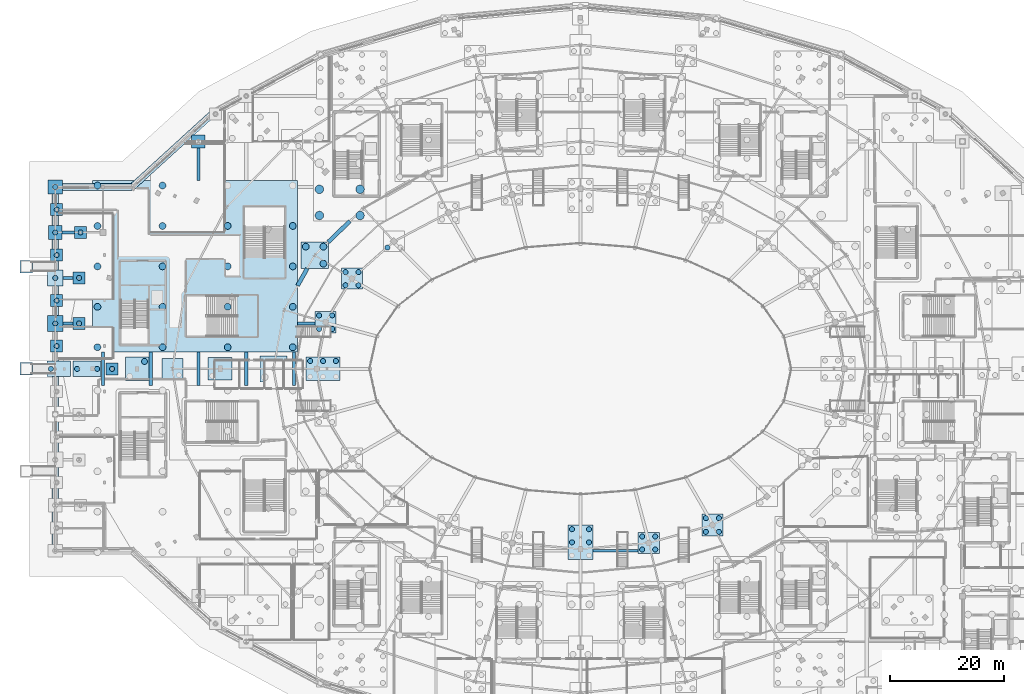
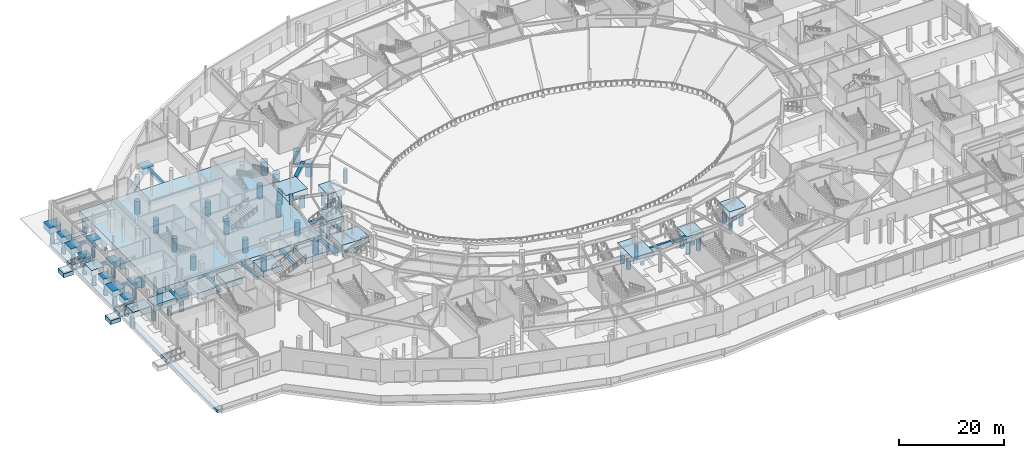
# One storey, part 3 of 93: 65 piles, 45 footings.
"""IFC4 building model written with IfcOpenShell, lengths in metres."""

from ifc_helpers import new_model, si_unit, direction, frame, origin, origin_2d, place, context, subcontext, project, spatial, polyline, rectangle, circle, outline, extrude, material, material_profile, profile_set, type_object, element, save


model = new_model("IFC4")

# Units and contexts
model_context = context("Model", 3, precision=1e-05, world=origin(), true_north=direction((0.0, 1.0)))
body_context = subcontext(model_context, "Body", "Model", "MODEL_VIEW")
ifc_project = project(units=[si_unit("LENGTHUNIT", "METRE"), si_unit("AREAUNIT", "SQUARE_METRE"), si_unit("VOLUMEUNIT", "CUBIC_METRE"), si_unit("PLANEANGLEUNIT", "RADIAN"), si_unit("MASSUNIT", "GRAM", prefix="KILO")], contexts=[model_context])

# Site, building, storey
site_placement = place(None, origin())
site = spatial("IfcSite", under=ifc_project, at=site_placement, CompositionType="ELEMENT")
building_placement = place(site_placement, origin())
building = spatial("IfcBuilding", under=site, at=building_placement, Name="Kalgoora Escarpment Arena", CompositionType="ELEMENT")
storey_placement = place(building_placement, origin())
storey = spatial("IfcBuildingStorey", under=building, at=storey_placement, Name="L00", CompositionType="ELEMENT", Elevation=0.0)

# Footings
ifc_material_1 = material(Name="Concrete N40 (fc' 40 MPa)", Category="concrete")
ifc_material_profile_1 = material_profile(ifc_material_1, rectangle(XDim=0.5, YDim=0.699951171875, at=origin_2d()))
ifc_profile_set_1 = profile_set([ifc_material_profile_1], Name="Concrete N40 (fc' 40 MPa)")
footing_type_1 = type_object("IfcFootingType", Name="FTG-GB700x500", PredefinedType="FOOTING_BEAM", material=ifc_profile_set_1)
footing_1_placement = place(storey_placement, frame((94.60009765625, 32.0, -0.35009765625), z_axis=(1.0, 0.0, 0.0), x_axis=(0.0, 1.0, 0.0)))
element("IfcFooting", 1, at=footing_1_placement, inside=storey, type_object=footing_type_1, Name="Ground tie beam GB-087", PredefinedType="FOOTING_BEAM", context=body_context, shape_type="SweptSolid", body=[
    extrude(rectangle(XDim=0.5, YDim=0.699951171875, at=origin_2d()), origin(), (0.0, 0.0, 1.0), 7.9599609375),
])
footing_2_placement = place(storey_placement, frame((1.360107421875, 72.0, -0.35009765625), z_axis=(1.0, 0.0, 0.0), x_axis=(0.0, 1.0, 0.0)))
element("IfcFooting", 2, at=footing_2_placement, inside=storey, type_object=footing_type_1, Name="Ground tie beam GB-104", PredefinedType="FOOTING_BEAM", context=body_context, shape_type="SweptSolid", body=[
    extrude(rectangle(XDim=0.5, YDim=0.699951171875, at=origin_2d()), origin(), (0.0, 0.0, 1.0), 1.789794921875),
])
footing_3_placement = place(storey_placement, frame((42.639892578125, 72.0, -0.35009765625), z_axis=(1.0, 0.0, 0.0), x_axis=(0.0, 1.0, 0.0)))
element("IfcFooting", 3, at=footing_3_placement, inside=storey, type_object=footing_type_1, Name="Ground tie beam GB-105", PredefinedType="FOOTING_BEAM", context=body_context, shape_type="SweptSolid", body=[
    extrude(rectangle(XDim=0.5, YDim=0.699951171875, at=origin_2d()), origin(), (0.0, 0.0, 1.0), 3.080078125),
])
footing_4_placement = place(storey_placement, frame((1.39990234375, 80.0, -0.35009765625), z_axis=(1.0, 0.0, 0.0), x_axis=(0.0, 1.0, 0.0)))
element("IfcFooting", 4, at=footing_4_placement, inside=storey, type_object=footing_type_1, Name="Ground tie beam GB-107", PredefinedType="FOOTING_BEAM", context=body_context, shape_type="SweptSolid", body=[
    extrude(rectangle(XDim=0.5, YDim=0.699951171875, at=origin_2d()), origin(), (0.0, 0.0, 1.0), 1.75),
])
footing_5_placement = place(storey_placement, frame((1.22998046875, 88.0, -0.35009765625), z_axis=(1.0, 0.0, 0.0), x_axis=(0.0, 1.0, 0.0)))
element("IfcFooting", 5, at=footing_5_placement, inside=storey, type_object=footing_type_1, Name="Ground tie beam GB-109", PredefinedType="FOOTING_BEAM", context=body_context, shape_type="SweptSolid", body=[
    extrude(rectangle(XDim=0.5, YDim=0.699951171875, at=origin_2d()), origin(), (0.0, 0.0, 1.0), 2.169921875),
])
ifc_material_2 = material(Name="Concrete N40 (fc' 40 MPa)", Category="concrete")
ifc_material_profile_2 = material_profile(ifc_material_2, rectangle(XDim=0.60009765625, YDim=0.800048828125, at=origin_2d()))
ifc_profile_set_2 = profile_set([ifc_material_profile_2], Name="Concrete N40 (fc' 40 MPa)")
footing_type_2 = type_object("IfcFootingType", Name="FTG-GB800x600", PredefinedType="FOOTING_BEAM", material=ifc_profile_set_2)
for number, where, z_axis, x_axis, name in (
    (6, (8.39990234375, 61.050048828125, -0.39990234375), (0.0, 1.0, 0.0), (-1.0, 0.0, 0.0), "Ground tie beam GB-023"),
    (7, (16.800048828125, 61.050048828125, -0.39990234375), (0.0, 1.0, 0.0), (-1.0, 0.0, 0.0), "Ground tie beam GB-024"),
    (8, (25.199951171875, 61.050048828125, -0.39990234375), (0.0, 1.0, 0.0), (-1.0, 0.0, 0.0), "Ground tie beam GB-026"),
):
    element("IfcFooting", number, at=place(storey_placement, frame(where, z_axis=z_axis, x_axis=x_axis)), inside=storey, type_object=footing_type_2, Name=name, PredefinedType="FOOTING_BEAM", context=body_context, shape_type="SweptSolid", body=[
        extrude(rectangle(XDim=0.60009765625, YDim=0.800048828125, at=origin_2d()), origin(), (0.0, 0.0, 1.0), 5.89990234375),
    ])
footing_6_placement = place(storey_placement, frame((25.199951171875, 97.10009765625, -0.39990234375), z_axis=(0.0, 1.0, 0.0), x_axis=(-1.0, 0.0, 0.0)))
element("IfcFooting", 9, at=footing_6_placement, inside=storey, type_object=footing_type_2, Name="Ground tie beam GB-027", PredefinedType="FOOTING_BEAM", context=body_context, shape_type="SweptSolid", body=[
    extrude(rectangle(XDim=0.60009765625, YDim=0.800048828125, at=origin_2d()), origin(), (0.0, 0.0, 1.0), 5.760009765625),
])
for number, where, z_axis, x_axis, name in (
    (10, (33.60009765625, 61.050048828125, -0.39990234375), (0.0, 1.0, 0.0), (-1.0, 0.0, 0.0), "Ground tie beam GB-030"),
    (11, (42.0, 61.050048828125, -0.39990234375), (0.0, 1.0, 0.0), (-1.0, 0.0, 0.0), "Ground tie beam GB-034"),
):
    element("IfcFooting", number, at=place(storey_placement, frame(where, z_axis=z_axis, x_axis=x_axis)), inside=storey, type_object=footing_type_2, Name=name, PredefinedType="FOOTING_BEAM", context=body_context, shape_type="SweptSolid", body=[
        extrude(rectangle(XDim=0.60009765625, YDim=0.800048828125, at=origin_2d()), origin(), (0.0, 0.0, 1.0), 5.89990234375),
    ])
ifc_material_3 = material(Name="Concrete N40 (fc' 40 MPa)", Category="concrete")
ifc_material_profile_3 = material_profile(ifc_material_3, rectangle(XDim=0.699951171875, YDim=0.89990234375, at=origin_2d()))
ifc_profile_set_3 = profile_set([ifc_material_profile_3], Name="Concrete N40 (fc' 40 MPa)")
footing_type_3 = type_object("IfcFootingType", Name="FTG-GB900x700", PredefinedType="FOOTING_BEAM", material=ifc_profile_set_3)
footing_7_placement = place(storey_placement, frame((51.8291015625, 89.97998046875, -0.449951171875), z_axis=(-0.719457224387, -0.694536753727, 0.0), x_axis=(0.694536753727, -0.719457224387, 0.0)))
element("IfcFooting", 12, at=footing_7_placement, inside=storey, type_object=footing_type_3, Name="Ground tie beam GB-010", PredefinedType="FOOTING_BEAM", context=body_context, shape_type="SweptSolid", body=[
    extrude(rectangle(XDim=0.699951171875, YDim=0.89990234375, at=origin_2d()), origin(), (0.0, 0.0, 1.0), 5.280517578125),
])
footing_8_placement = place(storey_placement, frame((44.320556640625, 81.64990234375, -0.449951171875), z_axis=(-0.488115329538, -0.872779138769, 0.0), x_axis=(0.872779138769, -0.488115329538, 0.0)))
element("IfcFooting", 13, at=footing_8_placement, inside=storey, type_object=footing_type_3, Name="Ground tie beam GB-011", PredefinedType="FOOTING_BEAM", context=body_context, shape_type="SweptSolid", body=[
    extrude(rectangle(XDim=0.699951171875, YDim=0.89990234375, at=origin_2d()), origin(), (0.0, 0.0, 1.0), 3.443115234375),
])
ifc_material_4 = material(Name="Concrete N40 (fc' 40 MPa)", Category="concrete")
footing_type_4 = type_object("IfcFootingType", Name="FTG-PC-210x210", PredefinedType="PILE_CAP", material=ifc_material_4)
for number, where, z_axis, x_axis, name in (
    (14, (4.199951171875, 72.0, -1.39990234375), (0.0, 0.0, 1.0), (1.0, 0.0, 0.0), "Pile cap FND-COL-CAN-IN-72"),
    (15, (4.199951171875, 80.0, -1.39990234375), (0.0, 0.0, 1.0), (1.0, 0.0, 0.0), "Pile cap FND-COL-CAN-IN-80"),
    (16, (0.25, 68.0, -1.39990234375), (0.0, 0.0, 1.0), (1.0, 0.0, 0.0), "Pile cap FND-PIL-005"),
    (17, (0.25, 76.0, -1.39990234375), (0.0, 0.0, 1.0), (1.0, 0.0, 0.0), "Pile cap FND-PIL-006"),
    (18, (0.25, 84.0, -1.39990234375), (0.0, 0.0, 1.0), (1.0, 0.0, 0.0), "Pile cap FND-PIL-007"),
    (19, (0.25, 92.0, -1.39990234375), (0.0, 0.0, 1.0), (1.0, 0.0, 0.0), "Pile cap FND-PIL-008"),
    (20, (4.449951171875, 88.0, -1.39990234375), (0.0, 0.0, 1.0), (1.0, 0.0, 0.0), "Pile cap FND-PIL-015"),
    (21, (10.0, 64.0, -1.39990234375), (0.0, 0.0, 1.0), (1.0, 0.0, 0.0), "Pile cap FND-PIL-058"),
):
    element("IfcFooting", number, at=place(storey_placement, frame(where, z_axis=z_axis, x_axis=x_axis)), inside=storey, type_object=footing_type_4, Name=name, PredefinedType="PILE_CAP", context=body_context, shape_type="SweptSolid", body=[
        extrude(rectangle(XDim=2.10009765625, YDim=2.10009765625, at=origin_2d()), origin(), (0.0, 0.0, 1.0), 1.39990234375),
    ])
ifc_material_5 = material(Name="Concrete N40 (fc' 40 MPa)", Category="concrete")
footing_type_5 = type_object("IfcFootingType", Name="FTG-PC-238x228", PredefinedType="PILE_CAP", material=ifc_material_5)
footing_9_placement = place(storey_placement, frame((25.199951171875, 104.0, -1.39990234375), z_axis=(0.0, 0.0, 1.0), x_axis=(1.0, 0.0, 0.0)))
element("IfcFooting", 22, at=footing_9_placement, inside=storey, type_object=footing_type_5, Name="Pile cap FND-COL-G4-P", PredefinedType="PILE_CAP", context=body_context, shape_type="SweptSolid", body=[
    extrude(rectangle(XDim=2.3798828125, YDim=2.280029296875, at=origin_2d()), origin(), (0.0, 0.0, 1.0), 1.39990234375),
])
ifc_material_6 = material(Name="Concrete N40 (fc' 40 MPa)", Category="concrete")
footing_type_6 = type_object("IfcFootingType", Name="FTG-PC-246x244", PredefinedType="PILE_CAP", material=ifc_material_6)
footing_10_placement = place(storey_placement, frame((0.0, 88.0, -1.39990234375), z_axis=(0.0, 0.0, 1.0), x_axis=(1.0, 0.0, 0.0)))
element("IfcFooting", 23, at=footing_10_placement, inside=storey, type_object=footing_type_6, Name="Pile cap FND-COL-G1-M", PredefinedType="PILE_CAP", context=body_context, shape_type="SweptSolid", body=[
    extrude(rectangle(XDim=2.4599609375, YDim=2.43994140625, at=origin_2d()), origin(), (0.0, 0.0, 1.0), 1.39990234375),
])
ifc_material_7 = material(Name="Concrete N40 (fc' 40 MPa)", Category="concrete")
footing_type_7 = type_object("IfcFootingType", Name="FTG-PC-254x244", PredefinedType="PILE_CAP", material=ifc_material_7)
footing_11_placement = place(storey_placement, frame((0.0, 96.0, -1.39990234375), z_axis=(0.0, 0.0, 1.0), x_axis=(1.0, 0.0, 0.0)))
element("IfcFooting", 24, at=footing_11_placement, inside=storey, type_object=footing_type_7, Name="Pile cap FND-COL-G1-N", PredefinedType="PILE_CAP", context=body_context, shape_type="SweptSolid", body=[
    extrude(rectangle(XDim=2.5400390625, YDim=2.43994140625, at=origin_2d()), origin(), (0.0, 0.0, 1.0), 1.39990234375),
])
ifc_material_8 = material(Name="Concrete N40 (fc' 40 MPa)", Category="concrete")
footing_type_8 = type_object("IfcFootingType", Name="FTG-PC-272x282", PredefinedType="PILE_CAP", material=ifc_material_8)
footing_12_placement = place(storey_placement, frame((0.0, 72.0, -1.39990234375), z_axis=(0.0, 0.0, 1.0), x_axis=(1.0, 0.0, 0.0)))
element("IfcFooting", 25, at=footing_12_placement, inside=storey, type_object=footing_type_8, Name="Pile cap FND-COL-G1-K", PredefinedType="PILE_CAP", context=body_context, shape_type="SweptSolid", body=[
    extrude(rectangle(XDim=2.719970703125, YDim=2.820068359375, at=origin_2d()), origin(), (0.0, 0.0, 1.0), 1.39990234375),
])
ifc_material_9 = material(Name="Concrete N40 (fc' 40 MPa)", Category="concrete")
footing_type_9 = type_object("IfcFootingType", Name="FTG-PC-280x282", PredefinedType="PILE_CAP", material=ifc_material_9)
footing_13_placement = place(storey_placement, frame((0.0, 80.0, -1.39990234375), z_axis=(0.0, 0.0, 1.0), x_axis=(1.0, 0.0, 0.0)))
element("IfcFooting", 26, at=footing_13_placement, inside=storey, type_object=footing_type_9, Name="Pile cap FND-COL-G1-L", PredefinedType="PILE_CAP", context=body_context, shape_type="SweptSolid", body=[
    extrude(rectangle(XDim=2.800048828125, YDim=2.820068359375, at=origin_2d()), origin(), (0.0, 0.0, 1.0), 1.39990234375),
])
ifc_material_10 = material(Name="Concrete N40 (fc' 40 MPa)", Category="concrete")
footing_type_10 = type_object("IfcFootingType", Name="FTG-PC-3606x3015", PredefinedType="PILE_CAP", material=ifc_material_10)
footing_14_placement = place(storey_placement, frame((24.610107421875, 82.02490234375, -1.39990234375), z_axis=(0.0, 0.0, 1.0), x_axis=(1.0, 0.0, 0.0)))
element("IfcFooting", 27, at=footing_14_placement, inside=storey, type_object=footing_type_10, Name="Pile cap FND-RAFT-C1", PredefinedType="PILE_CAP", context=body_context, shape_type="SweptSolid", body=[
    extrude(rectangle(XDim=36.06005859375, YDim=30.14990234375, at=origin_2d()), origin(), (0.0, 0.0, 1.0), 1.39990234375),
])
ifc_material_11 = material(Name="Concrete N40 (fc' 40 MPa)", Category="concrete")
footing_type_11 = type_object("IfcFootingType", Name="FTG-PC-369x380", PredefinedType="PILE_CAP", material=ifc_material_11)
footing_15_placement = place(storey_placement, frame((115.60498046875, 36.530029296875, -1.39990234375), z_axis=(0.0, 0.0, 1.0), x_axis=(1.0, 0.0, 0.0)))
element("IfcFooting", 28, at=footing_15_placement, inside=storey, type_object=footing_type_11, Name="Pile cap FND-COL-RMID-R21", PredefinedType="PILE_CAP", context=body_context, shape_type="SweptSolid", body=[
    extrude(rectangle(XDim=3.68994140625, YDim=3.800048828125, at=origin_2d()), origin(), (0.0, 0.0, 1.0), 1.39990234375),
])
ifc_material_12 = material(Name="Concrete N40 (fc' 40 MPa)", Category="concrete")
footing_type_12 = type_object("IfcFootingType", Name="FTG-PC-370x360", PredefinedType="PILE_CAP", material=ifc_material_12)
footing_16_placement = place(storey_placement, frame((20.60009765625, 64.0, -1.39990234375), z_axis=(0.0, 0.0, 1.0), x_axis=(1.0, 0.0, 0.0)))
element("IfcFooting", 29, at=footing_16_placement, inside=storey, type_object=footing_type_12, Name="Pile cap FND-COL-RCONC2-R13", PredefinedType="PILE_CAP", context=body_context, shape_type="SweptSolid", body=[
    extrude(rectangle(XDim=3.699951171875, YDim=3.60009765625, at=origin_2d()), origin(), (0.0, 0.0, 1.0), 1.39990234375),
])
ifc_material_13 = material(Name="Concrete N40 (fc' 40 MPa)", Category="concrete")
footing_type_13 = type_object("IfcFootingType", Name="FTG-PC-370x370", PredefinedType="PILE_CAP", material=ifc_material_13)
for number, where, z_axis, x_axis, name in (
    (30, (52.2099609375, 79.860107421875, -1.39990234375), (0.0, 0.0, 1.0), (1.0, 0.0, 0.0), "Pile cap FND-COL-RMID-R11"),
    (31, (104.409912109375, 33.360107421875, -1.39990234375), (0.0, 0.0, 1.0), (1.0, 0.0, 0.0), "Pile cap FND-COL-RMID-R20"),
):
    element("IfcFooting", number, at=place(storey_placement, frame(where, z_axis=z_axis, x_axis=x_axis)), inside=storey, type_object=footing_type_13, Name=name, PredefinedType="PILE_CAP", context=body_context, shape_type="SweptSolid", body=[
        extrude(rectangle(XDim=3.699951171875, YDim=3.699951171875, at=origin_2d()), origin(), (0.0, 0.0, 1.0), 1.39990234375),
    ])
ifc_material_14 = material(Name="Concrete N40 (fc' 40 MPa)", Category="concrete")
footing_type_14 = type_object("IfcFootingType", Name="FTG-PC-370x380", PredefinedType="PILE_CAP", material=ifc_material_14)
footing_17_placement = place(storey_placement, frame((47.570068359375, 72.2099609375, -1.39990234375), z_axis=(0.0, 0.0, 1.0), x_axis=(1.0, 0.0, 0.0)))
element("IfcFooting", 32, at=footing_17_placement, inside=storey, type_object=footing_type_14, Name="Pile cap FND-COL-RMID-R12", PredefinedType="PILE_CAP", context=body_context, shape_type="SweptSolid", body=[
    extrude(rectangle(XDim=3.699951171875, YDim=3.800048828125, at=origin_2d()), origin(), (0.0, 0.0, 1.0), 1.39990234375),
])
ifc_material_15 = material(Name="Concrete N40 (fc' 40 MPa)", Category="concrete")
footing_type_15 = type_object("IfcFootingType", Name="FTG-PC-413x274", PredefinedType="PILE_CAP", material=ifc_material_15)
footing_18_placement = place(storey_placement, frame((0.5849609375, 64.0, -1.39990234375), z_axis=(0.0, 0.0, 1.0), x_axis=(1.0, 0.0, 0.0)))
element("IfcFooting", 33, at=footing_18_placement, inside=storey, type_object=footing_type_15, Name="Pile cap FND-COL-G1-J", PredefinedType="PILE_CAP", context=body_context, shape_type="SweptSolid", body=[
    extrude(rectangle(XDim=4.1298828125, YDim=2.739990234375, at=origin_2d()), origin(), (0.0, 0.0, 1.0), 1.39990234375),
])
ifc_material_16 = material(Name="Concrete N40 (fc' 40 MPa)", Category="concrete")
footing_type_16 = type_object("IfcFootingType", Name="FTG-PC-416x416", PredefinedType="PILE_CAP", material=ifc_material_16)
footing_19_placement = place(storey_placement, frame((14.39990234375, 64.0, -1.39990234375), z_axis=(0.0, 0.0, 1.0), x_axis=(1.0, 0.0, 0.0)))
element("IfcFooting", 34, at=footing_19_placement, inside=storey, type_object=footing_type_16, Name="Pile cap FND-COL-RBASE1-R13", PredefinedType="PILE_CAP", context=body_context, shape_type="SweptSolid", body=[
    extrude(rectangle(XDim=4.159912109375, YDim=4.159912109375, at=origin_2d()), origin(), (0.0, 0.0, 1.0), 1.39990234375),
])
ifc_material_17 = material(Name="Concrete N40 (fc' 40 MPa)", Category="concrete")
footing_type_17 = type_object("IfcFootingType", Name="FTG-PC-420x400", PredefinedType="PILE_CAP", material=ifc_material_17)
footing_20_placement = place(storey_placement, frame((29.0, 64.0, -1.39990234375), z_axis=(0.0, 0.0, 1.0), x_axis=(1.0, 0.0, 0.0)))
element("IfcFooting", 35, at=footing_20_placement, inside=storey, type_object=footing_type_17, Name="Pile cap FND-COL-RCONC1-R13", PredefinedType="PILE_CAP", context=body_context, shape_type="SweptSolid", body=[
    extrude(rectangle(XDim=4.199951171875, YDim=4.0, at=origin_2d()), origin(), (0.0, 0.0, 1.0), 1.39990234375),
])
ifc_material_18 = material(Name="Concrete N40 (fc' 40 MPa)", Category="concrete")
footing_type_18 = type_object("IfcFootingType", Name="FTG-PC-440x601", PredefinedType="PILE_CAP", material=ifc_material_18)
footing_21_placement = place(storey_placement, frame((92.39990234375, 33.485107421875, -1.39990234375), z_axis=(0.0, 0.0, 1.0), x_axis=(1.0, 0.0, 0.0)))
element("IfcFooting", 36, at=footing_21_placement, inside=storey, type_object=footing_type_18, Name="Pile cap FND-COL-RMID-R19", PredefinedType="PILE_CAP", context=body_context, shape_type="SweptSolid", body=[
    extrude(rectangle(XDim=4.39990234375, YDim=6.010009765625, at=origin_2d()), origin(), (0.0, 0.0, 1.0), 1.39990234375),
])
ifc_material_19 = material(Name="Concrete N40 (fc' 40 MPa)", Category="concrete")
footing_type_19 = type_object("IfcFootingType", Name="FTG-PC-480x460", PredefinedType="PILE_CAP", material=ifc_material_19)
footing_22_placement = place(storey_placement, frame((38.39990234375, 64.0, -1.39990234375), z_axis=(0.0, 0.0, 1.0), x_axis=(1.0, 0.0, 0.0)))
element("IfcFooting", 37, at=footing_22_placement, inside=storey, type_object=footing_type_19, Name="Pile cap FND-COL-RMAIN-R13", PredefinedType="PILE_CAP", context=body_context, shape_type="SweptSolid", body=[
    extrude(rectangle(XDim=4.800048828125, YDim=4.60009765625, at=origin_2d()), origin(), (0.0, 0.0, 1.0), 1.39990234375),
])
ifc_material_20 = material(Name="Concrete N40 (fc' 40 MPa)", Category="concrete")
footing_type_20 = type_object("IfcFootingType", Name="FTG-PC-480x470", PredefinedType="PILE_CAP", material=ifc_material_20)
footing_23_placement = place(storey_placement, frame((45.6298828125, 84.0, -1.39990234375), z_axis=(0.0, 0.0, 1.0), x_axis=(1.0, 0.0, 0.0)))
element("IfcFooting", 38, at=footing_23_placement, inside=storey, type_object=footing_type_20, Name="Pile cap FND-COL-RMAIN-R11", PredefinedType="PILE_CAP", context=body_context, shape_type="SweptSolid", body=[
    extrude(rectangle(XDim=4.800048828125, YDim=4.699951171875, at=origin_2d()), origin(), (0.0, 0.0, 1.0), 1.39990234375),
])
ifc_material_21 = material(Name="Concrete N40 (fc' 40 MPa)", Category="concrete")
footing_type_21 = type_object("IfcFootingType", Name="FTG-PC-493x274", PredefinedType="PILE_CAP", material=ifc_material_21)
footing_24_placement = place(storey_placement, frame((5.614990234375, 64.0, -1.39990234375), z_axis=(0.0, 0.0, 1.0), x_axis=(1.0, 0.0, 0.0)))
element("IfcFooting", 39, at=footing_24_placement, inside=storey, type_object=footing_type_21, Name="Pile cap FND-COL-RBASE2-R13", PredefinedType="PILE_CAP", context=body_context, shape_type="SweptSolid", body=[
    extrude(rectangle(XDim=4.929931640625, YDim=2.739990234375, at=origin_2d()), origin(), (0.0, 0.0, 1.0), 1.39990234375),
])
ifc_material_22 = material(Name="Concrete N40 (fc' 40 MPa)", Category="concrete")
footing_type_22 = type_object("IfcFootingType", Name="FTG-PC-594x416", PredefinedType="PILE_CAP", material=ifc_material_22)
footing_25_placement = place(storey_placement, frame((47.110107421875, 64.0, -1.39990234375), z_axis=(0.0, 0.0, 1.0), x_axis=(1.0, 0.0, 0.0)))
element("IfcFooting", 40, at=footing_25_placement, inside=storey, type_object=footing_type_22, Name="Pile cap FND-COL-RMID-R13", PredefinedType="PILE_CAP", context=body_context, shape_type="SweptSolid", body=[
    extrude(rectangle(XDim=5.93994140625, YDim=4.159912109375, at=origin_2d()), origin(), (0.0, 0.0, 1.0), 1.39990234375),
])
ifc_material_23 = material(Name="Concrete N40 (fc' 40 MPa)", Category="concrete")
footing_type_23 = type_object("IfcFootingType", Name="FTG-RAMP-PAD", PredefinedType="PAD_FOOTING", material=ifc_material_23)
for number, where, z_axis, x_axis, name in (
    (41, (-5.10009765625, 64.0, -1.39990234375), (0.0, 0.0, 1.0), (1.0, 0.0, 0.0), "Accessible ramp RMP-02 landing pad footing"),
    (42, (-5.10009765625, 82.0, -1.39990234375), (0.0, 0.0, 1.0), (1.0, 0.0, 0.0), "Accessible ramp RMP-03 landing pad footing"),
):
    element("IfcFooting", number, at=place(storey_placement, frame(where, z_axis=z_axis, x_axis=x_axis)), inside=storey, type_object=footing_type_23, Name=name, PredefinedType="PAD_FOOTING", context=body_context, shape_type="SweptSolid", body=[
        extrude(rectangle(XDim=2.199951171875, YDim=2.199951171875, at=origin_2d()), origin(), (0.0, 0.0, 1.0), 0.89990234375),
    ])
ifc_material_24 = material(Name="Concrete N40 (fc' 40 MPa)", Category="concrete")
footing_type_24 = type_object("IfcFootingType", Name="FTG-STRIP-1200", PredefinedType="STRIP_FOOTING", material=ifc_material_24)
footing_26_placement = place(storey_placement, frame((0.0, 0.0, -5.14990234375)))
element("IfcFooting", 43, at=footing_26_placement, inside=storey, type_object=footing_type_24, Name="Escarpment retaining strip footing SF-09", PredefinedType="STRIP_FOOTING", context=body_context, shape_type="SweptSolid", body=[
    extrude(outline(polyline([(0.60009765625, 32.0), (0.60009765625, 96.0), (-0.60009765625, 96.0), (-0.60009765625, 32.0), (0.60009765625, 32.0)])), origin(), (0.0, 0.0, 1.0), 0.64990234375),
])
footing_27_placement = place(storey_placement, frame((0.0, 0.0, -5.14990234375)))
element("IfcFooting", 44, at=footing_27_placement, inside=storey, type_object=footing_type_24, Name="Escarpment retaining strip footing SF-10", PredefinedType="STRIP_FOOTING", context=body_context, shape_type="SweptSolid", body=[
    extrude(outline(polyline([(0.0, 95.39990234375), (13.5283203125, 95.39990234375), (13.5283203125, 96.60009765625), (0.0, 96.60009765625), (0.0, 95.39990234375)])), origin(), (0.0, 0.0, 1.0), 0.64990234375),
])
footing_28_placement = place(storey_placement, frame((0.0, 0.0, -5.14990234375)))
element("IfcFooting", 45, at=footing_28_placement, inside=storey, type_object=footing_type_24, Name="Escarpment retaining strip footing SF-11", PredefinedType="STRIP_FOOTING", context=body_context, shape_type="SweptSolid", body=[
    extrude(outline(polyline([(13.932373046875, 95.556640625), (28.316162109375, 108.669921875), (27.5078125, 109.556884765625), (13.1240234375, 96.443359375), (13.932373046875, 95.556640625)])), origin(), (0.0, 0.0, 1.0), 0.64990234375),
])

# Piles
ifc_material_25 = material(Name="Concrete N50 (fc' 50 MPa)", Category="concrete")
ifc_material_profile_4 = material_profile(ifc_material_25, circle(Radius=0.52490234375, at=origin_2d()))
ifc_profile_set_4 = profile_set([ifc_material_profile_4], Name="Concrete N50 (fc' 50 MPa)")
pile_type_1 = type_object("IfcPileType", Name="PIL-PILE-1050", PredefinedType="BORED", material=ifc_profile_set_4)
pile_placement = place(storey_placement, frame((15.705078125, 65.304931640625, -1.300048828125), z_axis=(0.0, 0.0, -1.0), x_axis=(1.0, 0.0, 0.0)))
element("IfcPile", 46, at=pile_placement, inside=storey, type_object=pile_type_1, Name="Bored pile FND-COL-RBASE1-R13 P02", PredefinedType="BORED", context=body_context, shape_type="SweptSolid", body=[
    extrude(circle(Radius=0.52490234375, at=origin_2d()), origin(), (0.0, 0.0, 1.0), 3.199951171875),
])
ifc_material_26 = material(Name="Concrete N50 (fc' 50 MPa)", Category="concrete")
ifc_material_profile_5 = material_profile(ifc_material_26, circle(Radius=0.60009765625, at=origin_2d()))
ifc_profile_set_5 = profile_set([ifc_material_profile_5], Name="Concrete N50 (fc' 50 MPa)")
pile_type_2 = type_object("IfcPileType", Name="PIL-PILE-1200", PredefinedType="BORED", material=ifc_profile_set_5)
for number, where, z_axis, x_axis, name in (
    (47, (7.429931640625, 67.800048828125, -1.300048828125), (0.0, 0.0, -1.0), (1.0, 0.0, 0.0), "Bored pile FND-RAFT-C1 P01"),
    (48, (7.429931640625, 74.91259765625, -1.300048828125), (0.0, 0.0, -1.0), (1.0, 0.0, 0.0), "Bored pile FND-RAFT-C1 P02"),
    (49, (7.429931640625, 82.02490234375, -1.300048828125), (0.0, 0.0, -1.0), (1.0, 0.0, 0.0), "Bored pile FND-RAFT-C1 P03"),
    (50, (7.429931640625, 89.137451171875, -1.300048828125), (0.0, 0.0, -1.0), (1.0, 0.0, 0.0), "Bored pile FND-RAFT-C1 P04"),
    (51, (7.429931640625, 96.25, -1.300048828125), (0.0, 0.0, -1.0), (1.0, 0.0, 0.0), "Bored pile FND-RAFT-C1 P05"),
    (52, (18.88330078125, 67.800048828125, -1.300048828125), (0.0, 0.0, -1.0), (1.0, 0.0, 0.0), "Bored pile FND-RAFT-C1 P06"),
    (53, (18.88330078125, 74.91259765625, -1.300048828125), (0.0, 0.0, -1.0), (1.0, 0.0, 0.0), "Bored pile FND-RAFT-C1 P07"),
    (54, (18.88330078125, 82.02490234375, -1.300048828125), (0.0, 0.0, -1.0), (1.0, 0.0, 0.0), "Bored pile FND-RAFT-C1 P08"),
    (55, (18.88330078125, 89.137451171875, -1.300048828125), (0.0, 0.0, -1.0), (1.0, 0.0, 0.0), "Bored pile FND-RAFT-C1 P09"),
    (56, (18.88330078125, 96.25, -1.300048828125), (0.0, 0.0, -1.0), (1.0, 0.0, 0.0), "Bored pile FND-RAFT-C1 P10"),
    (57, (30.336669921875, 67.800048828125, -1.300048828125), (0.0, 0.0, -1.0), (1.0, 0.0, 0.0), "Bored pile FND-RAFT-C1 P11"),
    (58, (30.336669921875, 74.91259765625, -1.300048828125), (0.0, 0.0, -1.0), (1.0, 0.0, 0.0), "Bored pile FND-RAFT-C1 P12"),
    (59, (30.336669921875, 82.02490234375, -1.300048828125), (0.0, 0.0, -1.0), (1.0, 0.0, 0.0), "Bored pile FND-RAFT-C1 P13"),
    (60, (30.336669921875, 89.137451171875, -1.300048828125), (0.0, 0.0, -1.0), (1.0, 0.0, 0.0), "Bored pile FND-RAFT-C1 P14"),
    (61, (41.7900390625, 67.800048828125, -1.300048828125), (0.0, 0.0, -1.0), (1.0, 0.0, 0.0), "Bored pile FND-RAFT-C1 P16"),
    (62, (41.7900390625, 74.91259765625, -1.300048828125), (0.0, 0.0, -1.0), (1.0, 0.0, 0.0), "Bored pile FND-RAFT-C1 P17"),
    (63, (41.7900390625, 82.02490234375, -1.300048828125), (0.0, 0.0, -1.0), (1.0, 0.0, 0.0), "Bored pile FND-RAFT-C1 P18"),
    (64, (41.7900390625, 89.137451171875, -1.300048828125), (0.0, 0.0, -1.0), (1.0, 0.0, 0.0), "Bored pile FND-RAFT-C1 P19"),
    (65, (44.080078125, 85.5, -1.300048828125), (0.0, 0.0, -1.0), (1.0, 0.0, 0.0), "Bored pile FND-COL-RMAIN-R11 P01"),
    (66, (47.179931640625, 82.5, -1.300048828125), (0.0, 0.0, -1.0), (1.0, 0.0, 0.0), "Bored pile FND-COL-RMAIN-R11 P02"),
    (67, (47.179931640625, 85.5, -1.300048828125), (0.0, 0.0, -1.0), (1.0, 0.0, 0.0), "Bored pile FND-COL-RMAIN-R11 P03"),
):
    element("IfcPile", number, at=place(storey_placement, frame(where, z_axis=z_axis, x_axis=x_axis)), inside=storey, type_object=pile_type_2, Name=name, PredefinedType="BORED", context=body_context, shape_type="SweptSolid", body=[
        extrude(circle(Radius=0.60009765625, at=origin_2d()), origin(), (0.0, 0.0, 1.0), 3.199951171875),
    ])
ifc_material_27 = material(Name="Concrete N50 (fc' 50 MPa)", Category="concrete")
ifc_material_profile_6 = material_profile(ifc_material_27, circle(Radius=0.75, at=origin_2d()))
ifc_profile_set_6 = profile_set([ifc_material_profile_6], Name="Concrete N50 (fc' 50 MPa)")
pile_type_3 = type_object("IfcPileType", Name="PIL-PILE-1500", PredefinedType="BORED", material=ifc_profile_set_6)
for number, where, z_axis, x_axis, name in (
    (68, (46.469970703125, 90.97998046875, -1.300048828125), (0.0, 0.0, -1.0), (1.0, 0.0, 0.0), "Bored pile FND-RAFT-C3 P01"),
    (69, (46.469970703125, 95.5849609375, -1.300048828125), (0.0, 0.0, -1.0), (1.0, 0.0, 0.0), "Bored pile FND-RAFT-C3 P02"),
    (70, (53.623291015625, 90.97998046875, -1.300048828125), (0.0, 0.0, -1.0), (1.0, 0.0, 0.0), "Bored pile FND-RAFT-C3 P06"),
    (71, (53.623291015625, 95.5849609375, -1.300048828125), (0.0, 0.0, -1.0), (1.0, 0.0, 0.0), "Bored pile FND-RAFT-C3 P07"),
):
    element("IfcPile", number, at=place(storey_placement, frame(where, z_axis=z_axis, x_axis=x_axis)), inside=storey, type_object=pile_type_3, Name=name, PredefinedType="BORED", context=body_context, shape_type="SweptSolid", body=[
        extrude(circle(Radius=0.75, at=origin_2d()), origin(), (0.0, 0.0, 1.0), 3.199951171875),
    ])
ifc_material_28 = material(Name="Concrete N50 (fc' 50 MPa)", Category="concrete")
ifc_material_profile_7 = material_profile(ifc_material_28, circle(Radius=0.449951171875, at=origin_2d()))
ifc_profile_set_7 = profile_set([ifc_material_profile_7], Name="Concrete N50 (fc' 50 MPa)")
pile_type_4 = type_object("IfcPileType", Name="PIL-PILE-900", PredefinedType="BORED", material=ifc_profile_set_7)
for number, where, z_axis, x_axis, name in (
    (72, (58.429931640625, 85.330078125, -1.300048828125), (0.0, 0.0, -1.0), (1.0, 0.0, 0.0), "Bored pile FND-COL-RMID-R10 P01"),
    (73, (51.06005859375, 78.7099609375, -1.300048828125), (0.0, 0.0, -1.0), (1.0, 0.0, 0.0), "Bored pile FND-COL-RMID-R11 P01"),
    (74, (51.06005859375, 81.010009765625, -1.300048828125), (0.0, 0.0, -1.0), (1.0, 0.0, 0.0), "Bored pile FND-COL-RMID-R11 P02"),
    (75, (53.360107421875, 78.7099609375, -1.300048828125), (0.0, 0.0, -1.0), (1.0, 0.0, 0.0), "Bored pile FND-COL-RMID-R11 P03"),
    (76, (53.360107421875, 81.010009765625, -1.300048828125), (0.0, 0.0, -1.0), (1.0, 0.0, 0.0), "Bored pile FND-COL-RMID-R11 P04"),
    (77, (46.419921875, 71.010009765625, -1.300048828125), (0.0, 0.0, -1.0), (1.0, 0.0, 0.0), "Bored pile FND-COL-RMID-R12 P01"),
    (78, (46.419921875, 73.409912109375, -1.300048828125), (0.0, 0.0, -1.0), (1.0, 0.0, 0.0), "Bored pile FND-COL-RMID-R12 P02"),
    (79, (48.719970703125, 71.010009765625, -1.300048828125), (0.0, 0.0, -1.0), (1.0, 0.0, 0.0), "Bored pile FND-COL-RMID-R12 P03"),
    (80, (48.719970703125, 73.409912109375, -1.300048828125), (0.0, 0.0, -1.0), (1.0, 0.0, 0.0), "Bored pile FND-COL-RMID-R12 P04"),
    (81, (44.840087890625, 65.3798828125, -1.300048828125), (0.0, 0.0, -1.0), (1.0, 0.0, 0.0), "Bored pile FND-COL-RMID-R13 P02"),
    (82, (47.110107421875, 65.3798828125, -1.300048828125), (0.0, 0.0, -1.0), (1.0, 0.0, 0.0), "Bored pile FND-COL-RMID-R13 P04"),
    (83, (49.3798828125, 65.3798828125, -1.300048828125), (0.0, 0.0, -1.0), (1.0, 0.0, 0.0), "Bored pile FND-COL-RMID-R13 P06"),
    (84, (90.89990234375, 33.485107421875, -1.300048828125), (0.0, 0.0, -1.0), (1.0, 0.0, 0.0), "Bored pile FND-COL-RMID-R19 P02"),
    (85, (90.89990234375, 35.7900390625, -1.300048828125), (0.0, 0.0, -1.0), (1.0, 0.0, 0.0), "Bored pile FND-COL-RMID-R19 P03"),
    (86, (93.89990234375, 33.485107421875, -1.300048828125), (0.0, 0.0, -1.0), (1.0, 0.0, 0.0), "Bored pile FND-COL-RMID-R19 P05"),
    (87, (93.89990234375, 35.7900390625, -1.300048828125), (0.0, 0.0, -1.0), (1.0, 0.0, 0.0), "Bored pile FND-COL-RMID-R19 P06"),
    (88, (103.260009765625, 32.2099609375, -1.300048828125), (0.0, 0.0, -1.0), (1.0, 0.0, 0.0), "Bored pile FND-COL-RMID-R20 P01"),
    (89, (103.260009765625, 34.510009765625, -1.300048828125), (0.0, 0.0, -1.0), (1.0, 0.0, 0.0), "Bored pile FND-COL-RMID-R20 P02"),
    (90, (105.56005859375, 32.2099609375, -1.300048828125), (0.0, 0.0, -1.0), (1.0, 0.0, 0.0), "Bored pile FND-COL-RMID-R20 P03"),
    (91, (105.56005859375, 34.510009765625, -1.300048828125), (0.0, 0.0, -1.0), (1.0, 0.0, 0.0), "Bored pile FND-COL-RMID-R20 P04"),
    (92, (114.4599609375, 35.330078125, -1.300048828125), (0.0, 0.0, -1.0), (1.0, 0.0, 0.0), "Bored pile FND-COL-RMID-R21 P01"),
    (93, (114.4599609375, 37.72998046875, -1.300048828125), (0.0, 0.0, -1.0), (1.0, 0.0, 0.0), "Bored pile FND-COL-RMID-R21 P02"),
    (94, (116.75, 35.330078125, -1.300048828125), (0.0, 0.0, -1.0), (1.0, 0.0, 0.0), "Bored pile FND-COL-RMID-R21 P03"),
    (95, (116.75, 37.72998046875, -1.300048828125), (0.0, 0.0, -1.0), (1.0, 0.0, 0.0), "Bored pile FND-COL-RMID-R21 P04"),
    (96, (3.85009765625, 64.0, -1.300048828125), (0.0, 0.0, -1.0), (1.0, 0.0, 0.0), "Bored pile FND-COL-RBASE2-R13 P01"),
    (97, (7.3798828125, 64.0, -1.300048828125), (0.0, 0.0, -1.0), (1.0, 0.0, 0.0), "Bored pile FND-COL-RBASE2-R13 P02"),
    (98, (-0.780029296875, 64.0, -1.300048828125), (0.0, 0.0, -1.0), (1.0, 0.0, 0.0), "Bored pile FND-COL-G1-J P01"),
    (99, (0.0, 72.0, -1.300048828125), (0.0, 0.0, -1.0), (1.0, 0.0, 0.0), "Bored pile FND-COL-G1-K P01"),
    (100, (0.0, 80.0, -1.300048828125), (0.0, 0.0, -1.0), (1.0, 0.0, 0.0), "Bored pile FND-COL-G1-L P01"),
    (101, (0.0, 88.0, -1.300048828125), (0.0, 0.0, -1.0), (1.0, 0.0, 0.0), "Bored pile FND-COL-G1-M P01"),
    (102, (0.0, 96.0, -1.300048828125), (0.0, 0.0, -1.0), (1.0, 0.0, 0.0), "Bored pile FND-COL-G1-N P01"),
    (103, (4.199951171875, 72.0, -1.300048828125), (0.0, 0.0, -1.0), (1.0, 0.0, 0.0), "Bored pile FND-COL-CAN-IN-72 P01"),
    (104, (4.199951171875, 80.0, -1.300048828125), (0.0, 0.0, -1.0), (1.0, 0.0, 0.0), "Bored pile FND-COL-CAN-IN-80 P01"),
    (105, (0.25, 68.0, -1.300048828125), (0.0, 0.0, -1.0), (1.0, 0.0, 0.0), "Bored pile FND-PIL-005 P01"),
    (106, (0.25, 76.0, -1.300048828125), (0.0, 0.0, -1.0), (1.0, 0.0, 0.0), "Bored pile FND-PIL-006 P01"),
    (107, (0.25, 84.0, -1.300048828125), (0.0, 0.0, -1.0), (1.0, 0.0, 0.0), "Bored pile FND-PIL-007 P01"),
    (108, (0.25, 92.0, -1.300048828125), (0.0, 0.0, -1.0), (1.0, 0.0, 0.0), "Bored pile FND-PIL-008 P01"),
    (109, (4.449951171875, 88.0, -1.300048828125), (0.0, 0.0, -1.0), (1.0, 0.0, 0.0), "Bored pile FND-PIL-015 P01"),
    (110, (10.0, 64.0, -1.300048828125), (0.0, 0.0, -1.0), (1.0, 0.0, 0.0), "Bored pile FND-PIL-058 P01"),
):
    element("IfcPile", number, at=place(storey_placement, frame(where, z_axis=z_axis, x_axis=x_axis)), inside=storey, type_object=pile_type_4, Name=name, PredefinedType="BORED", context=body_context, shape_type="SweptSolid", body=[
        extrude(circle(Radius=0.449951171875, at=origin_2d()), origin(), (0.0, 0.0, 1.0), 3.199951171875),
    ])

save(model, "model.ifc")
